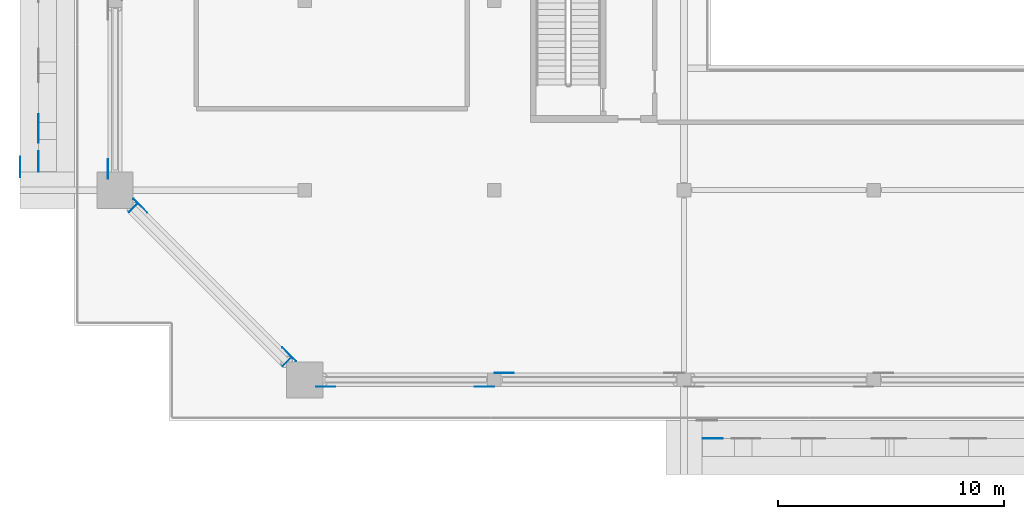
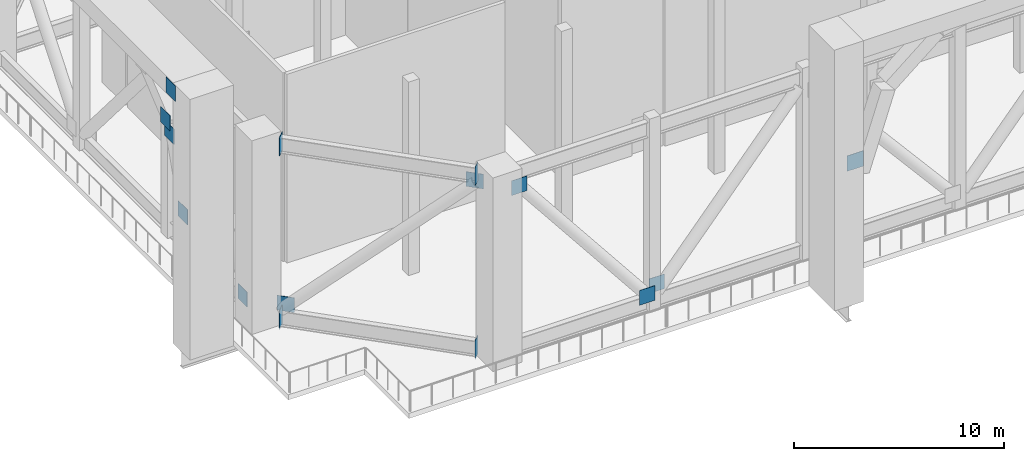
# One storey, part 10 of 19: 15 discrete accessories.
"""IFC4 building model written with IfcOpenShell, lengths in metres."""

from ifc_helpers import new_model, si_unit, direction, frame, origin, origin_2d, place, context, subcontext, project, spatial, rectangle, extrude, element, save


model = new_model("IFC4")

# Units and contexts
model_context = context("Model", 3, precision=1e-05, world=origin(), true_north=direction((0.0, 1.0)))
body_context = subcontext(model_context, "Body", "Model", "MODEL_VIEW")
ifc_project = project(units=[si_unit("LENGTHUNIT", "METRE"), si_unit("AREAUNIT", "SQUARE_METRE"), si_unit("VOLUMEUNIT", "CUBIC_METRE"), si_unit("PLANEANGLEUNIT", "RADIAN"), si_unit("MASSUNIT", "GRAM", prefix="KILO")], contexts=[model_context])

# Site, building, storey
site_placement = place(None, origin())
site = spatial("IfcSite", under=ifc_project, at=site_placement, CompositionType="ELEMENT")
building_placement = place(site_placement, origin())
building = spatial("IfcBuilding", under=site, at=building_placement, Name="Saffron Gate Tower", CompositionType="ELEMENT")
storey_placement = place(building_placement, frame((0.0, 0.0, 194.25)))
storey = spatial("IfcBuildingStorey", under=building, at=storey_placement, Name="L48", CompositionType="ELEMENT", Elevation=194.25)

# Discrete accessories
for number, where, z_axis, x_axis, name in (
    (1, (49.4951171875, 41.133056640625, 0.639892578125), (0.0, 0.0, 1.0), (0.0, 1.0, 0.0), "GUSSET PLATE"),
    (2, (66.1669921875, 31.4951171875, 0.639892578125), (0.0, 0.0, 1.0), (-1.0, 0.0, 0.0), "GUSSET PLATE"),
    (3, (59.133056640625, 31.4951171875, 9.47607421875), (0.0, 0.0, 1.0), (-1.0, 0.0, 0.0), "GUSSET PLATE"),
    (4, (67.038330078125, 32.10498046875, 0.635498046875), (0.0, 0.0, 1.0), (1.0, 0.0, 0.0), "GUSSET PLATE"),
    (5, (50.9248046875, 39.50634765625, 0.620361328125), (0.0, 0.0, 1.0), (0.707106781187, -0.707106781187, 0.0), "GUSSET PLATE"),
    (6, (57.50634765625, 32.9248046875, 9.49560546875), (0.0, 0.0, 1.0), (0.707106781187, -0.707106781187, 0.0), "GUSSET PLATE"),
):
    element("IfcDiscreteAccessory", number, at=place(storey_placement, frame(where, z_axis=z_axis, x_axis=x_axis)), inside=storey, Name=name, ObjectType="GUSSET PLATE", PredefinedType="USERDEFINED", context=body_context, shape_type="SweptSolid", body=[
        extrude(rectangle(XDim=0.85400390625, YDim=0.02001953125, at=origin_2d()), origin(), (0.0, 0.0, 1.0), 0.85400390625),
    ])
for number, where, z_axis, x_axis, name in (
    (7, (76.270263671875, 29.199951171875, 6.28125), (0.0, 0.0, 1.0), (1.0, 0.0, 0.0), "EMBEDDED PLATE"),
    (8, (46.39990234375, 41.47021484375, 6.28125), (0.0, 0.0, 1.0), (0.0, 1.0, 0.0), "EMBEDDED PLATE"),
    (9, (46.39990234375, 42.755126953125, 10.19677734375), (0.0, 0.0, 1.0), (0.0, 1.0, 0.0), "EMBEDDED PLATE"),
    (10, (46.39990234375, 43.124267578125, 10.737548828125), (0.0, 0.0, 1.0), (0.0, 1.0, 0.0), "EMBEDDED PLATE"),
    (11, (45.60009765625, 41.22509765625, 13.900146484375), (0.0, 0.0, 1.0), (0.0, 1.0, 0.0), "EMBEDDED PLATE"),
):
    element("IfcDiscreteAccessory", number, at=place(storey_placement, frame(where, z_axis=z_axis, x_axis=x_axis)), inside=storey, Name=name, ObjectType="EMBEDDED PLATE", PredefinedType="USERDEFINED", context=body_context, shape_type="SweptSolid", body=[
        extrude(rectangle(XDim=0.89990234375, YDim=0.02001953125, at=origin_2d()), origin(), (0.0, 0.0, 1.0), 0.89990234375),
    ])
for number, where, z_axis, x_axis, name in (
    (12, (57.406982421875, 32.593017578125, 9.969970703125), (0.0, 0.0, 1.0), (0.707106781187, -0.707106781187, 0.0), "BELT TRUSS END PLATE"),
    (13, (50.593017578125, 39.406982421875, 9.969970703125), (0.0, 0.0, 1.0), (-0.707106781187, 0.707106781187, 0.0), "BELT TRUSS END PLATE"),
    (14, (57.406982421875, 32.593017578125, -0.10009765625), (0.0, 0.0, 1.0), (0.707106781187, -0.707106781187, 0.0), "BELT TRUSS END PLATE"),
    (15, (50.593017578125, 39.406982421875, -0.10009765625), (0.0, 0.0, 1.0), (-0.707106781187, 0.707106781187, 0.0), "BELT TRUSS END PLATE"),
):
    element("IfcDiscreteAccessory", number, at=place(storey_placement, frame(where, z_axis=z_axis, x_axis=x_axis)), inside=storey, Name=name, ObjectType="BELT TRUSS END PLATE", PredefinedType="USERDEFINED", context=body_context, shape_type="SweptSolid", body=[
        extrude(rectangle(XDim=0.02001953125, YDim=0.5, at=origin_2d()), origin(), (0.0, 0.0, 1.0), 1.10009765625),
    ])

save(model, "model.ifc")
